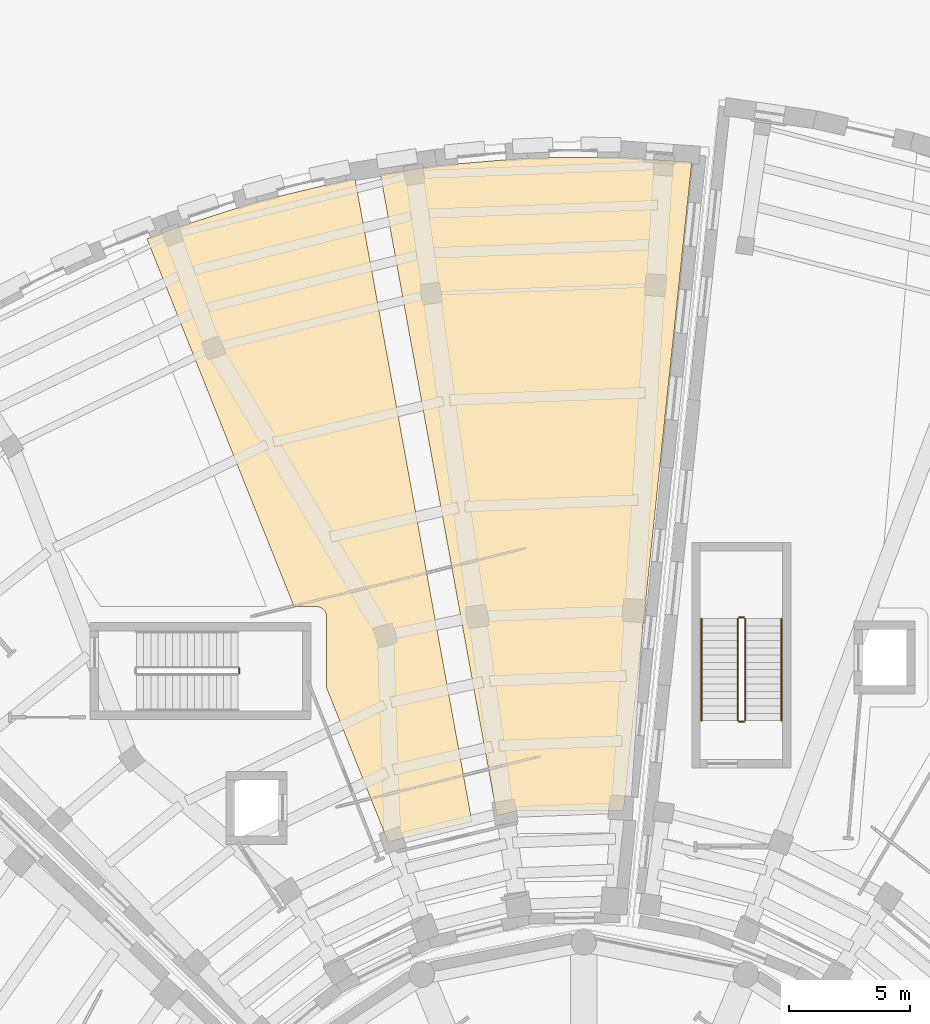
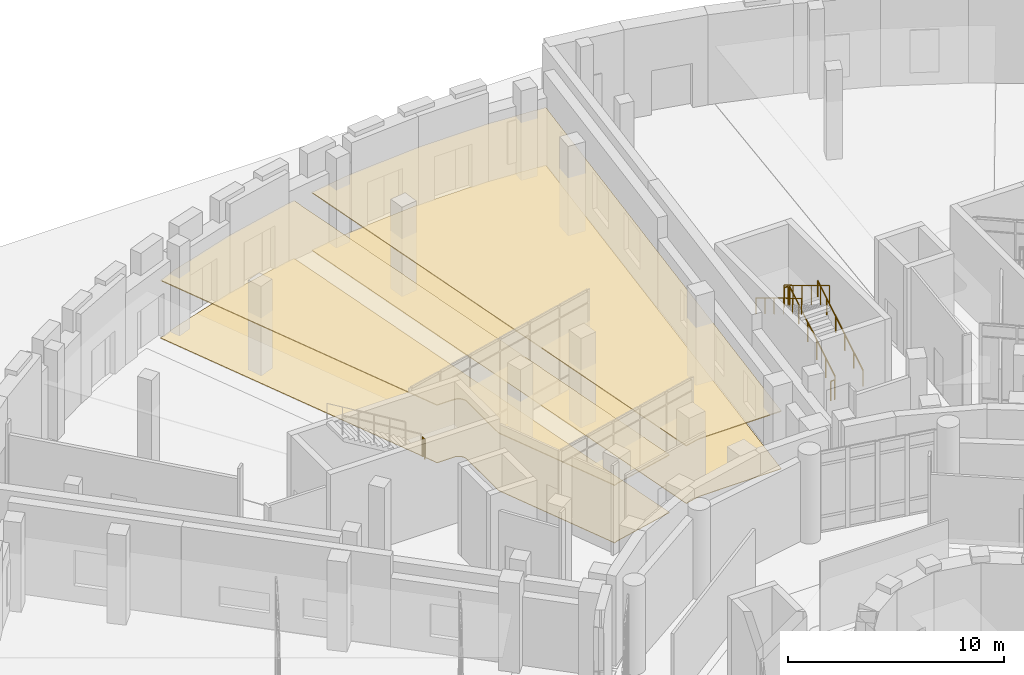
# One storey, part 68 of 74: 7 railings, 4 coverings.
"""IFC4 building model written with IfcOpenShell, lengths in metres."""

import ifcopenshell
import ifcopenshell.guid

model = None  # the IFC model being written
_history = None  # IfcOwnerHistory: only IFC2X3 demands one
_inside = {}  # id of a spatial element -> (the spatial element, [elements in it])
_under = {}  # id of a project, library or spatial element -> (it, [spatial elements below it])
_declared = {}  # id of a project -> (the project, [libraries it declares])
_typed = {}  # id of a type object -> (the type object, [elements of that type])
_made_of = {}  # id of a material, layer set ... -> (it, [elements and type objects made of it])


def new_model(schema):
    """Start an empty IFC model of exactly this schema.

    Asked for "IFC4X3", IfcOpenShell would pick the latest addendum, in which some entities
    have other attributes; the version numbers below select the first issue.
    IFC2X3 requires an IfcOwnerHistory on every rooted entity: one is made here for all.
    """
    global model, _history
    if schema == "IFC4X3":
        model = ifcopenshell.file(schema_version=(4, 3, 0, 0))
    else:
        model = ifcopenshell.file(schema=schema)
    _inside.clear()
    _under.clear()
    _declared.clear()
    _typed.clear()
    _made_of.clear()
    _history = None
    if model.schema == "IFC2X3":
        org = make("IfcOrganization", Name="unknown")
        user = make(
            "IfcPersonAndOrganization",
            ThePerson=make("IfcPerson", FamilyName="unknown"),
            TheOrganization=org,
        )
        app = make(
            "IfcApplication",
            ApplicationDeveloper=org,
            Version="unknown",
            ApplicationFullName="unknown",
            ApplicationIdentifier="unknown",
        )
        _history = make(
            "IfcOwnerHistory",
            OwningUser=user,
            OwningApplication=app,
            ChangeAction="ADDED",
            CreationDate=0,
        )
    return model


def make(cls, **values):
    """One entity of the class cls with the attributes given. An attribute that is None is left unset."""
    return model.create_entity(
        cls, **{name: value for name, value in values.items() if value is not None}
    )


def rooted(cls, **values):
    """An entity with a GlobalId (a new one), such as an element, a storey or a relation."""
    return make(cls, GlobalId=ifcopenshell.guid.new(), OwnerHistory=_history, **values)


def si_unit(unit_type, name, prefix=None):
    """IfcSIUnit, for example si_unit("LENGTHUNIT", "METRE", prefix="MILLI")."""
    return make("IfcSIUnit", UnitType=unit_type, Prefix=prefix, Name=name)


def assignment(units):
    """IfcUnitAssignment: the units of a project."""
    return None if units is None else make("IfcUnitAssignment", Units=units)


def point(xyz):
    """IfcCartesianPoint."""
    return None if xyz is None else make("IfcCartesianPoint", Coordinates=xyz)


def direction(xyz):
    """IfcDirection."""
    return None if xyz is None else make("IfcDirection", DirectionRatios=xyz)


def frame(location, z_axis=None, x_axis=None):
    """IfcAxis2Placement3D, a coordinate frame: its origin and axes. An axis left out is left unset."""
    return make(
        "IfcAxis2Placement3D",
        Location=point(location),
        Axis=direction(z_axis),
        RefDirection=direction(x_axis),
    )


def frame_2d(location, x_axis=None):
    """IfcAxis2Placement2D, a coordinate frame in the plane: its origin and x axis."""
    return make(
        "IfcAxis2Placement2D", Location=point(location), RefDirection=direction(x_axis)
    )


def origin():
    """The frame at (0, 0, 0) with its axes left unset."""
    return frame((0.0, 0.0, 0.0))


def origin_2d():
    """The frame at (0, 0) in the plane with its x axis left unset."""
    return frame_2d((0.0, 0.0))


def place(relative_to, where):
    """IfcLocalPlacement: puts the frame where relative to a parent placement (None: the world)."""
    return make(
        "IfcLocalPlacement", PlacementRelTo=relative_to, RelativePlacement=where
    )


def context(
    kind, dimensions, precision=None, world=None, true_north=None, identifier=None
):
    """IfcGeometricRepresentationContext, for example the 3D "Model" context."""
    return make(
        "IfcGeometricRepresentationContext",
        ContextIdentifier=identifier,
        ContextType=kind,
        CoordinateSpaceDimension=dimensions,
        Precision=precision,
        WorldCoordinateSystem=world,
        TrueNorth=true_north,
    )


def subcontext(parent, identifier, kind, view, scale=None):
    """IfcGeometricRepresentationSubContext, for example "Body" below "Model"."""
    return make(
        "IfcGeometricRepresentationSubContext",
        ContextIdentifier=identifier,
        ContextType=kind,
        ParentContext=parent,
        TargetScale=scale,
        TargetView=view,
    )


def project(units=None, contexts=None):
    """IfcProject with its units and contexts."""
    return rooted(
        "IfcProject",
        Name="project",
        RepresentationContexts=contexts,
        UnitsInContext=assignment(units),
    )


def spatial(cls, under=None, at=None, **own):
    """A site, building, storey or space (cls), placed at a placement, below another one or the project."""
    s = rooted(cls, ObjectPlacement=at, **own)
    if under is not None:
        _under.setdefault(under.id(), (under, []))[1].append(s)
    return s


def polyline(points):
    """IfcPolyline through the points."""
    return make("IfcPolyline", Points=[point(p) for p in points])


def profile(cls, at=None, kind="AREA", **sizes):
    """A parametric profile (cls). Its sizes go by their IFC names, for example OverallWidth=200.0."""
    return make(cls, ProfileType=kind, Position=at, **sizes)


def circle(**sizes):
    """IfcCircleProfileDef."""
    return profile("IfcCircleProfileDef", **sizes)


def outline(outer, holes=None, kind="AREA"):
    """IfcArbitraryClosedProfileDef: a profile drawn as a closed curve; with holes, ...WithVoids."""
    if holes is None:
        return make("IfcArbitraryClosedProfileDef", ProfileType=kind, OuterCurve=outer)
    return make(
        "IfcArbitraryProfileDefWithVoids",
        ProfileType=kind,
        OuterCurve=outer,
        InnerCurves=holes,
    )


def extrude(swept, where, along, depth):
    """IfcExtrudedAreaSolid: the profile swept, set in the frame where, extruded along a direction by depth."""
    return make(
        "IfcExtrudedAreaSolid",
        SweptArea=swept,
        Position=where,
        ExtrudedDirection=direction(along),
        Depth=depth,
    )


def shape(context_of_items, identifier, shape_type, items):
    """IfcShapeRepresentation: the items that make up one representation, for example the "Body"."""
    return make(
        "IfcShapeRepresentation",
        ContextOfItems=context_of_items,
        RepresentationIdentifier=identifier,
        RepresentationType=shape_type,
        Items=items,
    )


def material(Name=None, Category=None):
    """IfcMaterial."""
    return make("IfcMaterial", Name=Name, Category=Category)


def layer(
    of_material, thickness, ventilated=None, Name=None, Category=None, Priority=None
):
    """IfcMaterialLayer: one layer of a wall or slab, of a material (None: an air gap)."""
    return make(
        "IfcMaterialLayer",
        Material=of_material,
        LayerThickness=thickness,
        IsVentilated=ventilated,
        Name=Name,
        Category=Category,
        Priority=Priority,
    )


def layer_set(layers, Name=None):
    """IfcMaterialLayerSet."""
    return make("IfcMaterialLayerSet", MaterialLayers=layers, LayerSetName=Name)


def made_of(thing, what):
    """Note that an element or type object is made of a material, layer set ...; save() writes the relation."""
    if what is not None:
        _made_of.setdefault(what.id(), (what, []))[1].append(thing)
    return thing


def type_object(cls, material=None, **own):
    """A type object (cls), such as IfcWallType, which elements share."""
    return made_of(rooted(cls, **own), material)


def element(
    cls,
    number,
    at=None,
    inside=None,
    cuts=None,
    type_object=None,
    material=None,
    context=None,
    identifier="Body",
    shape_type=None,
    held_by="IfcProductDefinitionShape",
    body=None,
    shapes=None,
    **own,
):
    """One element of the class cls, such as IfcWall. Its Tag is "e" and its number.

    at: its placement. inside: the storey or other place that contains it. cuts: it is an
    opening in that element (IfcRelVoidsElement). A single representation is given by context,
    identifier, shape_type and body (its items); several are given by shapes. held_by: the class
    of the entity that holds the representations. save() writes the other relations.
    """
    e = rooted(cls, Tag="e%d" % number, ObjectPlacement=at, **own)
    if body is not None:
        shapes = [shape(context, identifier, shape_type, body)]
    if shapes is not None:
        e.Representation = make(held_by, Representations=shapes)
    if inside is not None:
        _inside.setdefault(inside.id(), (inside, []))[1].append(e)
    if cuts is not None:
        rooted(
            "IfcRelVoidsElement", RelatingBuildingElement=cuts, RelatedOpeningElement=e
        )
    if type_object is not None:
        _typed.setdefault(type_object.id(), (type_object, []))[1].append(e)
    return made_of(e, material)


def aggregate(whole, parts):
    """IfcRelAggregates: a whole, such as a stair, and the parts it consists of."""
    return rooted("IfcRelAggregates", RelatingObject=whole, RelatedObjects=parts)


def save(model, path):
    """Write the relations noted so far, then the file.

    IfcRelAggregates (storeys below a building ...), IfcRelContainedInSpatialStructure (elements
    in a storey), IfcRelDefinesByType, IfcRelAssociatesMaterial and IfcRelDeclares: one each for
    every whole, place, type object, material and project.
    """
    for whole, parts in _under.values():
        aggregate(whole, parts)
    for where, things in _inside.values():
        rooted(
            "IfcRelContainedInSpatialStructure",
            RelatedElements=things,
            RelatingStructure=where,
        )
    for kind, things in _typed.values():
        rooted("IfcRelDefinesByType", RelatedObjects=things, RelatingType=kind)
    for what, things in _made_of.values():
        rooted("IfcRelAssociatesMaterial", RelatedObjects=things, RelatingMaterial=what)
    for by, libraries in _declared.values():
        rooted("IfcRelDeclares", RelatingContext=by, RelatedDefinitions=libraries)
    model.write(path)


model = new_model("IFC4")

# Units and contexts
model_context = context("Model", 3, precision=1e-05, world=origin(), true_north=direction((0.0, 1.0)))
body_context = subcontext(model_context, "Body", "Model", "MODEL_VIEW")
ifc_project = project(units=[si_unit("LENGTHUNIT", "METRE"), si_unit("AREAUNIT", "SQUARE_METRE"), si_unit("VOLUMEUNIT", "CUBIC_METRE"), si_unit("PLANEANGLEUNIT", "RADIAN"), si_unit("MASSUNIT", "GRAM", prefix="KILO")], contexts=[model_context])

# Site, building, storey
site_placement = place(None, origin())
site = spatial("IfcSite", under=ifc_project, at=site_placement, CompositionType="ELEMENT")
building_placement = place(site_placement, origin())
building = spatial("IfcBuilding", under=site, at=building_placement, Name="Soyqirgoq Riverine Aquarium", CompositionType="ELEMENT")
storey_placement = place(building_placement, origin())
storey = spatial("IfcBuildingStorey", under=building, at=storey_placement, Name="L01", CompositionType="ELEMENT", Elevation=0.0)

# Coverings
ifc_material_1 = material(Name="Perforated mineral-fibre acoustic ceiling", Category="gypsum")
ifc_layer_1 = layer(ifc_material_1, 0.050048828125)
ifc_layer_set_1 = layer_set([ifc_layer_1], Name="Perforated mineral-fibre acoustic ceiling")
covering_type_1 = type_object("IfcCoveringType", Name="AcousticBaffleCeiling_50", PredefinedType="CEILING", material=ifc_layer_set_1)
covering_1_placement = place(storey_placement, frame((0.0, 0.0, 3.25)))
element("IfcCovering", 1, at=covering_1_placement, inside=storey, type_object=covering_type_1, Name="Coral Lagoon Viewing Room Suspended Ceiling", PredefinedType="CEILING", context=body_context, shape_type="SweptSolid", body=[
    extrude(outline(polyline([(38.950927734375, 103.843017578125), (42.5390625, 104.998046875), (46.2041015625, 105.8779296875), (46.568115234375, 105.93603515625), (51.385986328125, 79.427978515625), (48.172119140625, 78.656005859375), (48.123046875, 78.64111328125), (48.075927734375, 78.62109375), (47.947998046875, 78.556884765625), (45.39990234375, 84.928955078125), (45.39990234375, 87.85009765625), (45.39794921875, 87.89404296875), (45.39111328125, 87.93798828125), (45.381103515625, 87.98095703125), (45.365966796875, 88.02197265625), (45.346923828125, 88.06201171875), (45.323974609375, 88.10009765625), (45.298095703125, 88.135009765625), (45.26806640625, 88.16796875), (45.235107421875, 88.197998046875), (45.199951171875, 88.22412109375), (45.162109375, 88.2470703125), (45.1220703125, 88.26611328125), (45.0810546875, 88.281005859375), (45.0380859375, 88.291015625), (44.993896484375, 88.298095703125), (44.949951171875, 88.300048828125), (44.052001953125, 88.300048828125), (37.990966796875, 103.451904296875), (38.950927734375, 103.843017578125)])), origin(), (0.0, 0.0, 1.0), 0.050048828125),
])
covering_2_placement = place(storey_placement, frame((0.0, 0.0, 3.25)))
element("IfcCovering", 2, at=covering_2_placement, inside=storey, type_object=covering_type_1, Name="Indo-Pacific Lagoon Hall Suspended Ceiling", PredefinedType="CEILING", context=body_context, shape_type="SweptSolid", body=[
    extrude(outline(polyline([(49.925048828125, 106.47802734375), (53.680908203125, 106.7958984375), (57.449951171875, 106.827880859375), (60.451904296875, 106.626953125), (57.64306640625, 79.89990234375), (53.243896484375, 79.862060546875), (53.193115234375, 79.85888671875), (53.14306640625, 79.84912109375), (52.41796875, 79.675048828125), (47.614990234375, 106.10498046875), (49.925048828125, 106.47802734375)])), origin(), (0.0, 0.0, 1.0), 0.050048828125),
])

# Railings
ifc_material_2 = material(Name="Brushed stainless steel 316L tubular handrail", Category="steel")
railing_type_1 = type_object("IfcRailingType", Name="StairPitchHandrail_920", PredefinedType="HANDRAIL", material=ifc_material_2)
railing_1_placement = place(storey_placement, frame((64.14990234375, 83.60009765625, 0.179931640625)))
element("IfcRailing", 3, at=railing_1_placement, inside=storey, type_object=railing_type_1, Name="L01 ST-5 stair handrail 1", PredefinedType="HANDRAIL", context=body_context, shape_type="SweptSolid", body=[
    extrude(circle(Radius=0.02392578125, at=origin_2d()), frame((0.0, 0.0, 0.89990234375), z_axis=(0.0, 0.857488527567, 0.514503085598), x_axis=(-1.0, 0.0, 0.0)), (0.0, 0.0, 1.0), 4.89794921875),
    extrude(circle(Radius=0.02099609375, at=origin_2d()), origin(), (0.0, 0.0, 1.0), 0.875732421875),
    extrude(circle(Radius=0.02099609375, at=origin_2d()), frame((0.0, 0.840087890625, 0.50390625)), (0.0, 0.0, 1.0), 0.875732421875),
    extrude(circle(Radius=0.02099609375, at=origin_2d()), frame((0.0, 1.679931640625, 1.008056640625)), (0.0, 0.0, 1.0), 0.875732421875),
    extrude(circle(Radius=0.02099609375, at=origin_2d()), frame((0.0, 2.52001953125, 1.511962890625)), (0.0, 0.0, 1.0), 0.875732421875),
    extrude(circle(Radius=0.02099609375, at=origin_2d()), frame((0.0, 3.35986328125, 2.01611328125)), (0.0, 0.0, 1.0), 0.875732421875),
    extrude(circle(Radius=0.02099609375, at=origin_2d()), frame((0.0, 4.199951171875, 2.52001953125)), (0.0, 0.0, 1.0), 0.875732421875),
])
railing_2_placement = place(storey_placement, frame((60.85009765625, 87.800048828125, 2.8798828125)))
element("IfcRailing", 4, at=railing_2_placement, inside=storey, type_object=railing_type_1, Name="L01 ST-5 stair handrail 2", PredefinedType="HANDRAIL", context=body_context, shape_type="SweptSolid", body=[
    extrude(circle(Radius=0.02392578125, at=origin_2d()), frame((0.0, 0.0, 0.89990234375), z_axis=(0.0, -0.857488527567, 0.514503085598), x_axis=(1.0, 0.0, 0.0)), (0.0, 0.0, 1.0), 4.89794921875),
    extrude(circle(Radius=0.02099609375, at=origin_2d()), origin(), (0.0, 0.0, 1.0), 0.875732421875),
    extrude(circle(Radius=0.02099609375, at=origin_2d()), frame((0.0, -0.840087890625, 0.50390625)), (0.0, 0.0, 1.0), 0.875732421875),
    extrude(circle(Radius=0.02099609375, at=origin_2d()), frame((0.0, -1.679931640625, 1.008056640625)), (0.0, 0.0, 1.0), 0.875732421875),
    extrude(circle(Radius=0.02099609375, at=origin_2d()), frame((0.0, -2.52001953125, 1.511962890625)), (0.0, 0.0, 1.0), 0.875732421875),
    extrude(circle(Radius=0.02099609375, at=origin_2d()), frame((0.0, -3.35986328125, 2.01611328125)), (0.0, 0.0, 1.0), 0.875732421875),
    extrude(circle(Radius=0.02099609375, at=origin_2d()), frame((0.0, -4.199951171875, 2.52001953125)), (0.0, 0.0, 1.0), 0.875732421875),
])
ifc_material_3 = material(Name="Painted steel infill stair-well guardrail", Category="steel")
railing_type_2 = type_object("IfcRailingType", Name="StairWellGuard_1120", PredefinedType="GUARDRAIL", material=ifc_material_3)
railing_3_placement = place(storey_placement, frame((41.800048828125, 85.550048828125, 2.699951171875)))
element("IfcRailing", 5, at=railing_3_placement, inside=storey, type_object=railing_type_2, Name="L01 ST-4 stair guard 2", PredefinedType="GUARDRAIL", context=body_context, shape_type="SweptSolid", body=[
    extrude(circle(Radius=0.02392578125, at=origin_2d()), frame((0.0, 0.0, 1.09619140625), z_axis=(0.0, 1.0, 0.0), x_axis=(-1.0, 0.0, 0.0)), (0.0, 0.0, 1.0), 0.199951171875),
    extrude(circle(Radius=0.02099609375, at=origin_2d()), origin(), (0.0, 0.0, 1.0), 1.072021484375),
    extrude(circle(Radius=0.02099609375, at=origin_2d()), frame((0.0, 0.199951171875, 0.0)), (0.0, 0.0, 1.0), 1.072021484375),
])
railing_4_placement = place(storey_placement, frame((62.64990234375, 83.60009765625, 0.179931640625)))
element("IfcRailing", 6, at=railing_4_placement, inside=storey, type_object=railing_type_2, Name="L01 ST-5 stair guard 1", PredefinedType="GUARDRAIL", context=body_context, shape_type="SweptSolid", body=[
    extrude(circle(Radius=0.02392578125, at=origin_2d()), frame((0.0, 0.0, 1.09619140625), z_axis=(0.0, 0.857488527567, 0.514503085598), x_axis=(-1.0, 0.0, 0.0)), (0.0, 0.0, 1.0), 4.89794921875),
    extrude(circle(Radius=0.02099609375, at=origin_2d()), origin(), (0.0, 0.0, 1.0), 1.072021484375),
    extrude(circle(Radius=0.02099609375, at=origin_2d()), frame((0.0, 0.840087890625, 0.50390625)), (0.0, 0.0, 1.0), 1.072021484375),
    extrude(circle(Radius=0.02099609375, at=origin_2d()), frame((0.0, 1.679931640625, 1.008056640625)), (0.0, 0.0, 1.0), 1.072021484375),
    extrude(circle(Radius=0.02099609375, at=origin_2d()), frame((0.0, 2.52001953125, 1.511962890625)), (0.0, 0.0, 1.0), 1.072021484375),
    extrude(circle(Radius=0.02099609375, at=origin_2d()), frame((0.0, 3.35986328125, 2.01611328125)), (0.0, 0.0, 1.0), 1.072021484375),
    extrude(circle(Radius=0.02099609375, at=origin_2d()), frame((0.0, 4.199951171875, 2.52001953125)), (0.0, 0.0, 1.0), 1.072021484375),
])
railing_5_placement = place(storey_placement, frame((62.60009765625, 87.85009765625, 2.699951171875)))
element("IfcRailing", 7, at=railing_5_placement, inside=storey, type_object=railing_type_2, Name="L01 ST-5 stair guard 2", PredefinedType="GUARDRAIL", context=body_context, shape_type="SweptSolid", body=[
    extrude(circle(Radius=0.02392578125, at=origin_2d()), frame((0.0, 0.0, 1.09619140625), z_axis=(-1.0, 0.0, 0.0), x_axis=(0.0, -1.0, 0.0)), (0.0, 0.0, 1.0), 0.2001953125),
    extrude(circle(Radius=0.02099609375, at=origin_2d()), origin(), (0.0, 0.0, 1.0), 1.072021484375),
    extrude(circle(Radius=0.02099609375, at=origin_2d()), frame((-0.2001953125, 0.0, 0.0)), (0.0, 0.0, 1.0), 1.072021484375),
])
railing_6_placement = place(storey_placement, frame((62.35009765625, 87.800048828125, 2.8798828125)))
element("IfcRailing", 8, at=railing_6_placement, inside=storey, type_object=railing_type_2, Name="L01 ST-5 stair guard 3", PredefinedType="GUARDRAIL", context=body_context, shape_type="SweptSolid", body=[
    extrude(circle(Radius=0.02392578125, at=origin_2d()), frame((0.0, 0.0, 1.09619140625), z_axis=(0.0, -0.857488527567, 0.514503085598), x_axis=(1.0, 0.0, 0.0)), (0.0, 0.0, 1.0), 4.89794921875),
    extrude(circle(Radius=0.02099609375, at=origin_2d()), origin(), (0.0, 0.0, 1.0), 1.072021484375),
    extrude(circle(Radius=0.02099609375, at=origin_2d()), frame((0.0, -0.840087890625, 0.50390625)), (0.0, 0.0, 1.0), 1.072021484375),
    extrude(circle(Radius=0.02099609375, at=origin_2d()), frame((0.0, -1.679931640625, 1.008056640625)), (0.0, 0.0, 1.0), 1.072021484375),
    extrude(circle(Radius=0.02099609375, at=origin_2d()), frame((0.0, -2.52001953125, 1.511962890625)), (0.0, 0.0, 1.0), 1.072021484375),
    extrude(circle(Radius=0.02099609375, at=origin_2d()), frame((0.0, -3.35986328125, 2.01611328125)), (0.0, 0.0, 1.0), 1.072021484375),
    extrude(circle(Radius=0.02099609375, at=origin_2d()), frame((0.0, -4.199951171875, 2.52001953125)), (0.0, 0.0, 1.0), 1.072021484375),
])
railing_7_placement = place(storey_placement, frame((62.60009765625, 83.550048828125, 0.0)))
element("IfcRailing", 9, at=railing_7_placement, inside=storey, type_object=railing_type_2, Name="L01 ST-5 stair guard 4", PredefinedType="GUARDRAIL", context=body_context, shape_type="SweptSolid", body=[
    extrude(circle(Radius=0.02392578125, at=origin_2d()), frame((0.0, 0.0, 1.09619140625), z_axis=(-1.0, 0.0, 0.0), x_axis=(0.0, -1.0, 0.0)), (0.0, 0.0, 1.0), 0.2001953125),
    extrude(circle(Radius=0.02099609375, at=origin_2d()), origin(), (0.0, 0.0, 1.0), 1.072021484375),
    extrude(circle(Radius=0.02099609375, at=origin_2d()), frame((-0.2001953125, 0.0, 0.0)), (0.0, 0.0, 1.0), 1.072021484375),
])

# Coverings
ifc_material_4 = material(Name="Polished Chirchiq river-pebble terrazzo flooring", Category="concrete")
ifc_layer_2 = layer(ifc_material_4, 0.030029296875)
ifc_layer_set_2 = layer_set([ifc_layer_2], Name="Polished Chirchiq river-pebble terrazzo flooring")
covering_type_2 = type_object("IfcCoveringType", Name="TerrazzoFloorFinish_30", PredefinedType="FLOORING", material=ifc_layer_set_2)
covering_3_placement = place(storey_placement, origin())
element("IfcCovering", 10, at=covering_3_placement, inside=storey, type_object=covering_type_2, Name="Coral Lagoon Viewing Room Floor Finish", PredefinedType="FLOORING", context=body_context, shape_type="SweptSolid", body=[
    extrude(outline(polyline([(38.950927734375, 103.843017578125), (42.5390625, 104.998046875), (46.2041015625, 105.8779296875), (46.568115234375, 105.93603515625), (51.385986328125, 79.427978515625), (48.172119140625, 78.656005859375), (48.123046875, 78.64111328125), (48.075927734375, 78.62109375), (47.947998046875, 78.556884765625), (45.39990234375, 84.928955078125), (45.39990234375, 87.85009765625), (45.39794921875, 87.89404296875), (45.39111328125, 87.93798828125), (45.381103515625, 87.98095703125), (45.365966796875, 88.02197265625), (45.346923828125, 88.06201171875), (45.323974609375, 88.10009765625), (45.298095703125, 88.135009765625), (45.26806640625, 88.16796875), (45.235107421875, 88.197998046875), (45.199951171875, 88.22412109375), (45.162109375, 88.2470703125), (45.1220703125, 88.26611328125), (45.0810546875, 88.281005859375), (45.0380859375, 88.291015625), (44.993896484375, 88.298095703125), (44.949951171875, 88.300048828125), (44.052001953125, 88.300048828125), (37.990966796875, 103.451904296875), (38.950927734375, 103.843017578125)])), origin(), (0.0, 0.0, 1.0), 0.030029296875),
])
covering_4_placement = place(storey_placement, origin())
element("IfcCovering", 11, at=covering_4_placement, inside=storey, type_object=covering_type_2, Name="Indo-Pacific Lagoon Hall Floor Finish", PredefinedType="FLOORING", context=body_context, shape_type="SweptSolid", body=[
    extrude(outline(polyline([(49.925048828125, 106.47802734375), (53.680908203125, 106.7958984375), (57.449951171875, 106.827880859375), (60.451904296875, 106.626953125), (57.64306640625, 79.89990234375), (53.243896484375, 79.862060546875), (53.193115234375, 79.85888671875), (53.14306640625, 79.84912109375), (52.41796875, 79.675048828125), (47.614990234375, 106.10498046875), (49.925048828125, 106.47802734375)])), origin(), (0.0, 0.0, 1.0), 0.030029296875),
])

save(model, "model.ifc")
